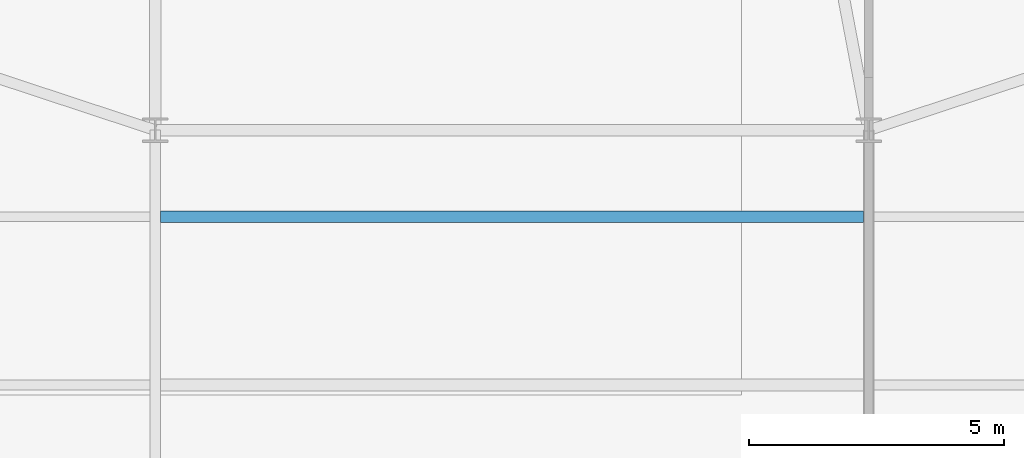
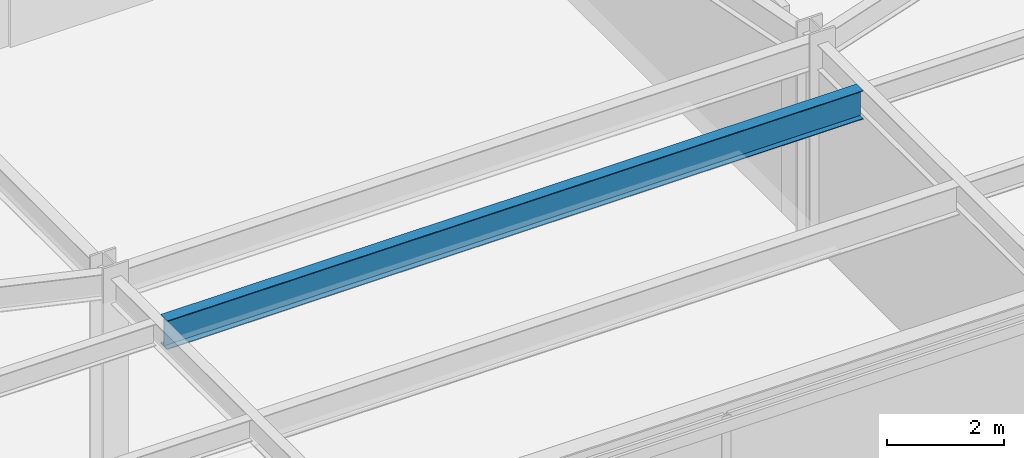
# One storey, part 13 of 26: 1 beam.
"""IFC4 building model written with IfcOpenShell, lengths in metres."""

from ifc_helpers import new_model, si_unit, direction, frame, origin, origin_2d, place, context, subcontext, project, spatial, i_section, extrude, source, transform, mapped, material, material_profile, profile_set, type_object, element, save


model = new_model("IFC4")

# Units and contexts
model_context = context("Model", 3, precision=1e-05, world=origin(), true_north=direction((0.0, 1.0)))
body_context = subcontext(model_context, "Body", "Model", "MODEL_VIEW")
ifc_project = project(units=[si_unit("LENGTHUNIT", "METRE"), si_unit("AREAUNIT", "SQUARE_METRE"), si_unit("VOLUMEUNIT", "CUBIC_METRE"), si_unit("PLANEANGLEUNIT", "RADIAN"), si_unit("MASSUNIT", "GRAM", prefix="KILO")], contexts=[model_context])

# Site, building, storey
site_placement = place(None, origin())
site = spatial("IfcSite", under=ifc_project, at=site_placement, CompositionType="ELEMENT")
building_placement = place(site_placement, origin())
building = spatial("IfcBuilding", under=site, at=building_placement, Name="Taldren Reach Tower", CompositionType="ELEMENT")
storey_placement = place(building_placement, frame((0.0, 0.0, 8.39990234375)))
storey = spatial("IfcBuildingStorey", under=building, at=storey_placement, Name="L02", CompositionType="ELEMENT", Elevation=8.39990234375)

# Beam
ifc_material = material(Name="Steel Gr 350 (350PLUS)", Category="steel")
ifc_material_profile = material_profile(ifc_material, i_section(OverallWidth=0.22802734375, OverallDepth=0.60205078125, WebThickness=0.010498046875, FlangeThickness=0.014892578125, at=origin_2d()), Name="610UB101")
ifc_profile_set = profile_set([ifc_material_profile], Name="Steel Gr 350 (350PLUS)")
beam_type = type_object("IfcBeamType", Name="BM-UB610B", PredefinedType="BEAM", material=ifc_profile_set)
shared_shape = source(origin(), body_context, "Body", "SweptSolid", [
    extrude(i_section(OverallWidth=0.22802734375, OverallDepth=0.60205078125, WebThickness=0.010498046875, FlangeThickness=0.014892578125, at=origin_2d()), origin(), (0.0, 0.0, 1.0), 13.791015625),
])
beam_placement = place(storey_placement, frame((28.1044921875, 7.5, 3.989013671875), z_axis=(1.0, 0.0, 0.0), x_axis=(0.0, 1.0, 0.0)))
element("IfcBeam", 1, at=beam_placement, inside=storey, type_object=beam_type, Name="Podium composite floor beam L02-2.2", PredefinedType="BEAM", context=body_context, shape_type="MappedRepresentation", body=[
    mapped(shared_shape, transform((0.0, 0.0, 0.0), scale=1.0)),
])

save(model, "model.ifc")
